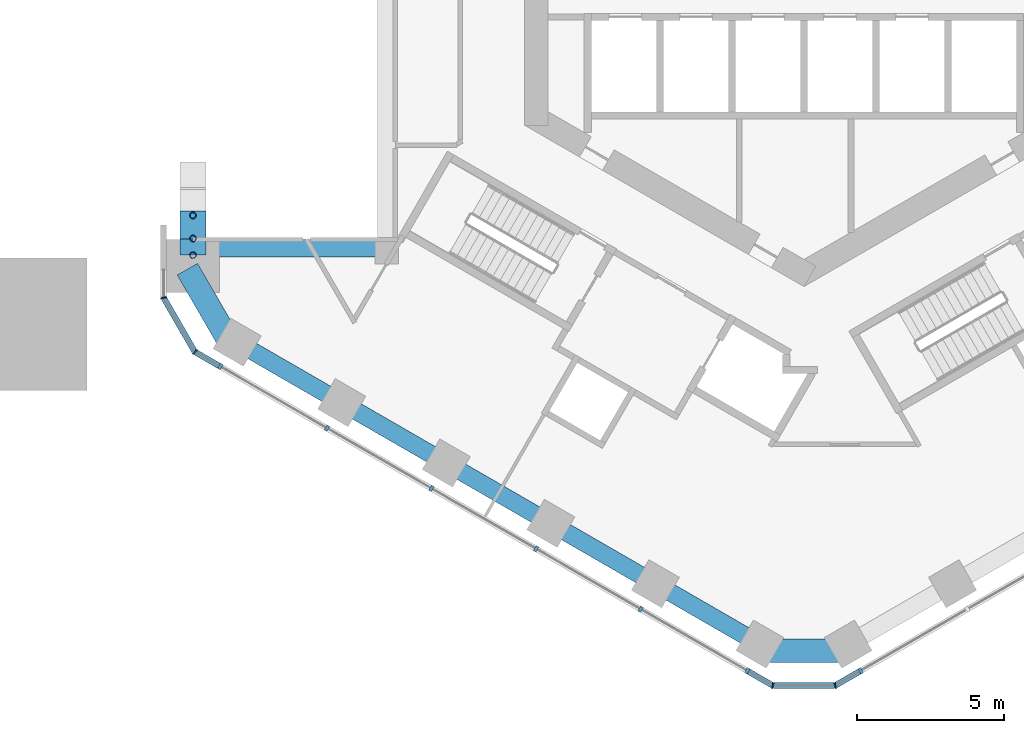
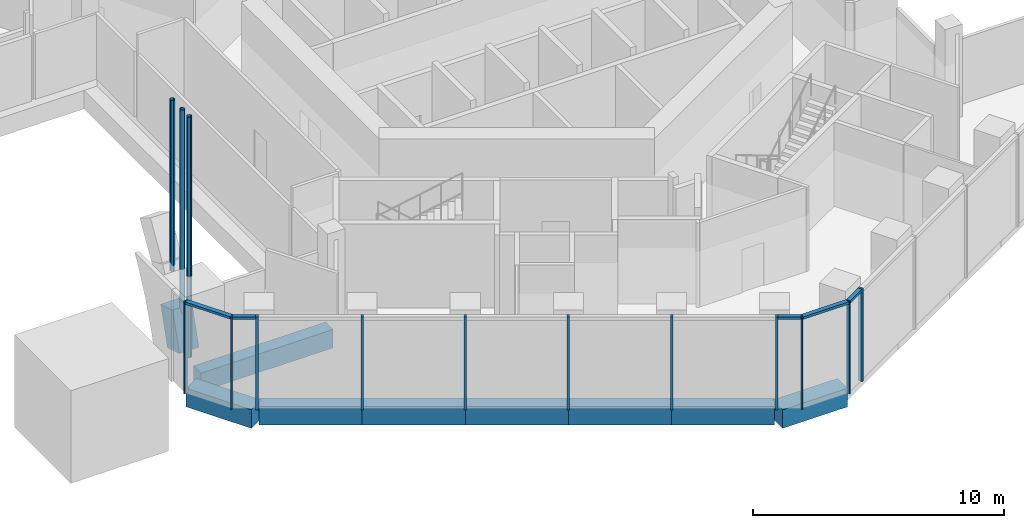
# One storey, part 2 of 14: 19 members, 9 beams, 4 elements without a shape of their own.
"""IFC4 building model written with IfcOpenShell, lengths in metres."""

from ifc_helpers import new_model, si_unit, direction, frame, origin, origin_2d, place, context, subcontext, project, spatial, rectangle, hollow_circle, extrude, material, layer, layer_set, material_profile, profile_set, type_object, element, aggregate, save


model = new_model("IFC4")

# Units and contexts
model_context = context("Model", 3, precision=1e-05, world=origin(), true_north=direction((0.0, 1.0)))
body_context = subcontext(model_context, "Body", "Model", "MODEL_VIEW")
ifc_project = project(units=[si_unit("LENGTHUNIT", "METRE"), si_unit("AREAUNIT", "SQUARE_METRE"), si_unit("VOLUMEUNIT", "CUBIC_METRE"), si_unit("PLANEANGLEUNIT", "RADIAN"), si_unit("MASSUNIT", "GRAM", prefix="KILO")], contexts=[model_context])

# Site, building, storey
site_placement = place(None, origin())
site = spatial("IfcSite", under=ifc_project, at=site_placement, CompositionType="ELEMENT")
building_placement = place(site_placement, origin())
building = spatial("IfcBuilding", under=site, at=building_placement, Name="Ayvan Gate Tower", CompositionType="ELEMENT")
storey_placement = place(building_placement, frame((0.0, 0.0, 7.0)))
storey = spatial("IfcBuildingStorey", under=building, at=storey_placement, Name="L01", CompositionType="ELEMENT", Elevation=7.0)

# Beam
ifc_material_1 = material(Name="Concrete C60/75", Category="concrete")
ifc_material_profile_1 = material_profile(ifc_material_1, rectangle(XDim=0.89990234375, YDim=1.0, at=origin_2d()), Name="RC 900x1000")
ifc_profile_set_1 = profile_set([ifc_material_profile_1], Name="Concrete C60/75")
beam_type_1 = type_object("IfcBeamType", Name="Arch rib RC 900x1000 C60/75", PredefinedType="BEAM", material=ifc_profile_set_1)
beam_1_placement = place(storey_placement, frame((-20.78466796875, -8.877197265625, 2.478759765625), z_axis=(0.0, -0.293791434836, -0.955869548012), x_axis=(1.0, 0.0, 0.0)))
element("IfcBeam", 1, at=beam_1_placement, inside=storey, type_object=beam_type_1, Name="AR-3-18", PredefinedType="BEAM", context=body_context, shape_type="SweptSolid", body=[
    extrude(rectangle(XDim=0.89990234375, YDim=1.0, at=origin_2d()), origin(), (0.0, 0.0, 1.0), 1.86474609375),
])

# Members
ifc_material_2 = material(Name="Steel S460NH", Category="steel")
ifc_material_profile_2 = material_profile(ifc_material_2, hollow_circle(Radius=0.109619140625, WallThickness=0.012451171875, at=origin_2d()), Name="CHS 219.1x12.5")
ifc_profile_set_2 = profile_set([ifc_material_profile_2], Name="Steel S460NH")
member_type_1 = type_object("IfcMemberType", Name="Arch rib hanger CHS 219.1x12.5", PredefinedType="STRUT", material=ifc_profile_set_2)
member_1_placement = place(storey_placement, frame((-20.78466796875, -8.551025390625, 3.927734375), z_axis=(0.0, 0.0, 1.0), x_axis=(1.0, 0.0, 0.0)))
element("IfcMember", 2, at=member_1_placement, inside=storey, type_object=member_type_1, Name="ARH-3-16", PredefinedType="STRUT", context=body_context, shape_type="SweptSolid", body=[
    extrude(hollow_circle(Radius=0.109619140625, WallThickness=0.012451171875, at=origin_2d()), origin(), (0.0, 0.0, 1.0), 8.322265625),
])
member_2_placement = place(storey_placement, frame((-20.78466796875, -9.33447265625, 2.276123046875), z_axis=(0.0, 0.0, 1.0), x_axis=(1.0, 0.0, 0.0)))
element("IfcMember", 3, at=member_2_placement, inside=storey, type_object=member_type_1, Name="ARH-3-17", PredefinedType="STRUT", context=body_context, shape_type="SweptSolid", body=[
    extrude(hollow_circle(Radius=0.109619140625, WallThickness=0.012451171875, at=origin_2d()), origin(), (0.0, 0.0, 1.0), 9.973876953125),
])
member_3_placement = place(storey_placement, frame((-20.78466796875, -9.903076171875, 0.549560546875), z_axis=(0.0, 0.0, 1.0), x_axis=(1.0, 0.0, 0.0)))
element("IfcMember", 4, at=member_3_placement, inside=storey, type_object=member_type_1, Name="ARH-3-18", PredefinedType="STRUT", context=body_context, shape_type="SweptSolid", body=[
    extrude(hollow_circle(Radius=0.109619140625, WallThickness=0.012451171875, at=origin_2d()), origin(), (0.0, 0.0, 1.0), 11.700439453125),
])

# Beams
ifc_material_3 = material(Name="Concrete C40/50", Category="concrete")
ifc_material_profile_3 = material_profile(ifc_material_3, rectangle(XDim=0.800048828125, YDim=0.89990234375, at=origin_2d()), Name="RC 800x900")
ifc_profile_set_3 = profile_set([ifc_material_profile_3], Name="Concrete C40/50")
beam_type_2 = type_object("IfcBeamType", Name="Corner spandrel beam RC 800x900 C40/50", PredefinedType="BEAM", material=ifc_profile_set_3)
for number, where, z_axis, x_axis, name in (
    (5, (-20.97509765625, -10.3779296875, -0.85009765625), (0.499990139034, -0.866031096941, 0.0), (0.866031096941, 0.499990139034, 0.0), "SB-L01-24"),
    (6, (-1.5, -23.35400390625, -0.85009765625), (1.0, 0.0, 0.0), (0.0, 1.0, 0.0), "SB-L01-30"),
):
    element("IfcBeam", number, at=place(storey_placement, frame(where, z_axis=z_axis, x_axis=x_axis)), inside=storey, type_object=beam_type_2, Name=name, PredefinedType="BEAM", context=body_context, shape_type="SweptSolid", body=[
        extrude(rectangle(XDim=0.800048828125, YDim=0.89990234375, at=origin_2d()), origin(), (0.0, 0.0, 1.0), 3.0),
    ])
ifc_material_profile_4 = material_profile(ifc_material_3, rectangle(XDim=0.60009765625, YDim=0.89990234375, at=origin_2d()), Name="RC 600x900")
ifc_profile_set_4 = profile_set([ifc_material_profile_4], Name="Concrete C40/50")
beam_type_3 = type_object("IfcBeamType", Name="Opening edge beam RC 600x900 C40/50", PredefinedType="BEAM", material=ifc_profile_set_4)
beam_2_placement = place(storey_placement, frame((-20.28466796875, -9.66796875, -0.85009765625), z_axis=(1.0, 0.0, 0.0), x_axis=(0.0, 1.0, 0.0)))
element("IfcBeam", 7, at=beam_2_placement, inside=storey, type_object=beam_type_3, Name="OB-L01-3-B", PredefinedType="BEAM", context=body_context, shape_type="SweptSolid", body=[
    extrude(rectangle(XDim=0.60009765625, YDim=0.89990234375, at=origin_2d()), origin(), (0.0, 0.0, 1.0), 6.084716796875),
])
ifc_material_profile_5 = material_profile(ifc_material_3, rectangle(XDim=0.60009765625, YDim=0.89990234375, at=origin_2d()), Name="RC 600x900")
ifc_profile_set_5 = profile_set([ifc_material_profile_5], Name="Concrete C40/50")
beam_type_4 = type_object("IfcBeamType", Name="Spandrel beam RC 600x900 C40/50", PredefinedType="BEAM", material=ifc_profile_set_5)
for number, where, z_axis, x_axis, name in (
    (8, (-19.28466796875, -12.865966796875, -0.85009765625), (0.866010373586, -0.500026032164, 0.0), (0.500026032164, 0.866010373586, 0.0), "SB-L01-25"),
    (9, (-15.727783203125, -14.919677734375, -0.85009765625), (0.866050971923, -0.499955712069, 0.0), (0.499955712069, 0.866050971923, 0.0), "SB-L01-26"),
    (10, (-12.170654296875, -16.97314453125, -0.85009765625), (0.866010373586, -0.500026032164, 0.0), (0.500026032164, 0.866010373586, 0.0), "SB-L01-27"),
    (11, (-8.61376953125, -19.02685546875, -0.85009765625), (0.866036113234, -0.499981450231, 0.0), (0.499981450231, 0.866036113234, 0.0), "SB-L01-28"),
    (12, (-5.056884765625, -21.080322265625, -0.85009765625), (0.866010373586, -0.500026032164, 0.0), (0.500026032164, 0.866010373586, 0.0), "SB-L01-29"),
):
    element("IfcBeam", number, at=place(storey_placement, frame(where, z_axis=z_axis, x_axis=x_axis)), inside=storey, type_object=beam_type_4, Name=name, PredefinedType="BEAM", context=body_context, shape_type="SweptSolid", body=[
        extrude(rectangle(XDim=0.60009765625, YDim=0.89990234375, at=origin_2d()), origin(), (0.0, 0.0, 1.0), 4.107177734375),
    ])

# Curtain wall, members
ifc_material_4 = material(Name="Bronze anodised aluminium", Category="aluminium")
ifc_layer_1 = layer(ifc_material_4, 0.199951171875)
ifc_layer_set_1 = layer_set([ifc_layer_1], Name="Bronze anodised aluminium")
curtain_wall_type_1 = type_object("IfcCurtainWallType", Name="Stick curtain wall CW-3", PredefinedType="NOTDEFINED", material=ifc_layer_set_1)
curtain_wall_1_placement = place(storey_placement, origin())
curtain_wall_1 = element("IfcCurtainWall", 13, at=curtain_wall_1_placement, inside=storey, type_object=curtain_wall_type_1, Name="Stick curtain wall CW-3 L01", PredefinedType="NOTDEFINED")
ifc_material_profile_6 = material_profile(ifc_material_4, rectangle(XDim=0.199951171875, YDim=0.10009765625, at=origin_2d()), Name="Stick curtain wall CW-3 mullion 200 x 100")
ifc_profile_set_6 = profile_set([ifc_material_profile_6], Name="Bronze anodised aluminium")
member_type_2 = type_object("IfcMemberType", Name="Stick curtain wall CW-3 mullion 200 x 100", PredefinedType="MULLION", material=ifc_profile_set_6)
member_4_placement = place(storey_placement, frame((-19.855224609375, -13.691162109375, 0.0), z_axis=(0.0, 0.0, 1.0), x_axis=(-0.5, -0.866025403784, 0.0)))
member_4 = element("IfcMember", 14, at=member_4_placement, type_object=member_type_2, Name="CW-3 mullion 1", PredefinedType="MULLION", context=body_context, shape_type="SweptSolid", body=[
    extrude(rectangle(XDim=0.199951171875, YDim=0.10009765625, at=origin_2d()), origin(), (0.0, 0.0, 1.0), 4.5),
])
member_5_placement = place(storey_placement, frame((-16.2275390625, -15.78564453125, 0.0), z_axis=(0.0, 0.0, 1.0), x_axis=(-0.5, -0.866025403784, 0.0)))
member_5 = element("IfcMember", 15, at=member_5_placement, type_object=member_type_2, Name="CW-3 mullion 2", PredefinedType="MULLION", context=body_context, shape_type="SweptSolid", body=[
    extrude(rectangle(XDim=0.199951171875, YDim=0.10009765625, at=origin_2d()), origin(), (0.0, 0.0, 1.0), 4.5),
])
member_6_placement = place(storey_placement, frame((-12.670654296875, -17.839111328125, 0.0), z_axis=(0.0, 0.0, 1.0), x_axis=(-0.5, -0.866025403784, 0.0)))
member_6 = element("IfcMember", 16, at=member_6_placement, type_object=member_type_2, Name="CW-3 mullion 3", PredefinedType="MULLION", context=body_context, shape_type="SweptSolid", body=[
    extrude(rectangle(XDim=0.199951171875, YDim=0.10009765625, at=origin_2d()), origin(), (0.0, 0.0, 1.0), 4.5),
])
member_7_placement = place(storey_placement, frame((-9.114013671875, -19.892822265625, 0.0), z_axis=(0.0, 0.0, 1.0), x_axis=(-0.5, -0.866025403784, 0.0)))
member_7 = element("IfcMember", 17, at=member_7_placement, type_object=member_type_2, Name="CW-3 mullion 4", PredefinedType="MULLION", context=body_context, shape_type="SweptSolid", body=[
    extrude(rectangle(XDim=0.199951171875, YDim=0.10009765625, at=origin_2d()), origin(), (0.0, 0.0, 1.0), 4.5),
])
member_8_placement = place(storey_placement, frame((-5.55712890625, -21.9462890625, 0.0), z_axis=(0.0, 0.0, 1.0), x_axis=(-0.5, -0.866025403784, 0.0)))
member_8 = element("IfcMember", 18, at=member_8_placement, type_object=member_type_2, Name="CW-3 mullion 5", PredefinedType="MULLION", context=body_context, shape_type="SweptSolid", body=[
    extrude(rectangle(XDim=0.199951171875, YDim=0.10009765625, at=origin_2d()), origin(), (0.0, 0.0, 1.0), 4.5),
])
member_9_placement = place(storey_placement, frame((-1.92919921875, -24.040771484375, 0.0), z_axis=(0.0, 0.0, 1.0), x_axis=(-0.5, -0.866025403784, 0.0)))
member_9 = element("IfcMember", 19, at=member_9_placement, type_object=member_type_2, Name="CW-3 mullion 6", PredefinedType="MULLION", context=body_context, shape_type="SweptSolid", body=[
    extrude(rectangle(XDim=0.199951171875, YDim=0.10009765625, at=origin_2d()), origin(), (0.0, 0.0, 1.0), 4.5),
])
aggregate(curtain_wall_1, [member_4, member_5, member_6, member_7, member_8, member_9])

# Curtain wall, member
curtain_wall_2_placement = place(storey_placement, origin())
curtain_wall_2 = element("IfcCurtainWall", 20, at=curtain_wall_2_placement, inside=storey, type_object=curtain_wall_type_1, Name="Stick curtain wall CW-3 L01", PredefinedType="NOTDEFINED")
member_10_placement = place(storey_placement, frame((1.92919921875, -24.040771484375, 0.0), z_axis=(0.0, 0.0, 1.0), x_axis=(0.5, -0.866025403784, 0.0)))
member_10 = element("IfcMember", 21, at=member_10_placement, type_object=member_type_2, Name="CW-3 mullion 1", PredefinedType="MULLION", context=body_context, shape_type="SweptSolid", body=[
    extrude(rectangle(XDim=0.199951171875, YDim=0.10009765625, at=origin_2d()), origin(), (0.0, 0.0, 1.0), 4.5),
])
aggregate(curtain_wall_2, [member_10])

# Curtain wall, members
ifc_layer_2 = layer(ifc_material_4, 0.199951171875)
ifc_layer_set_2 = layer_set([ifc_layer_2], Name="Bronze anodised aluminium")
curtain_wall_type_2 = type_object("IfcCurtainWallType", Name="Stick curtain wall CW-6", PredefinedType="NOTDEFINED", material=ifc_layer_set_2)
curtain_wall_3_placement = place(storey_placement, origin())
curtain_wall_3 = element("IfcCurtainWall", 22, at=curtain_wall_3_placement, inside=storey, type_object=curtain_wall_type_2, Name="Stick curtain wall CW-6 L01", PredefinedType="NOTDEFINED")
ifc_material_profile_7 = material_profile(ifc_material_4, rectangle(XDim=0.199951171875, YDim=0.050048828125, at=origin_2d()), Name="Stick curtain wall CW-6 mullion 200 x 50")
ifc_profile_set_7 = profile_set([ifc_material_profile_7], Name="Bronze anodised aluminium")
member_type_3 = type_object("IfcMemberType", Name="Stick curtain wall CW-6 mullion 200 x 50", PredefinedType="MULLION", material=ifc_profile_set_7)
member_11_placement = place(storey_placement, frame((-21.78466796875, -11.349609375, 0.0), z_axis=(0.0, 0.0, 1.0), x_axis=(-0.965925826289, -0.258819045103, 0.0)))
member_11 = element("IfcMember", 23, at=member_11_placement, type_object=member_type_3, Name="CW-6 mullion 2", PredefinedType="MULLION", context=body_context, shape_type="SweptSolid", body=[
    extrude(rectangle(XDim=0.199951171875, YDim=0.050048828125, at=origin_2d()), origin(), (0.0, 0.0, 1.0), 4.5),
])
member_12_placement = place(storey_placement, frame((-20.721435546875, -13.191162109375, 0.0), z_axis=(0.0, 0.0, 1.0), x_axis=(-0.707106781187, -0.707106781187, 0.0)))
member_12 = element("IfcMember", 24, at=member_12_placement, type_object=member_type_3, Name="CW-6 mullion 3", PredefinedType="MULLION", context=body_context, shape_type="SweptSolid", body=[
    extrude(rectangle(XDim=0.199951171875, YDim=0.050048828125, at=origin_2d()), origin(), (0.0, 0.0, 1.0), 4.5),
])

curtain_wall_4_placement = place(storey_placement, origin())
curtain_wall_4 = element("IfcCurtainWall", 25, at=curtain_wall_4_placement, inside=storey, type_object=curtain_wall_type_2, Name="Stick curtain wall CW-6 L01", PredefinedType="NOTDEFINED")
member_13_placement = place(storey_placement, frame((-1.063232421875, -24.540771484375, 0.0), z_axis=(0.0, 0.0, 1.0), x_axis=(-0.258819045103, -0.965925826289, 0.0)))
member_13 = element("IfcMember", 26, at=member_13_placement, type_object=member_type_3, Name="CW-6 mullion 2", PredefinedType="MULLION", context=body_context, shape_type="SweptSolid", body=[
    extrude(rectangle(XDim=0.199951171875, YDim=0.050048828125, at=origin_2d()), origin(), (0.0, 0.0, 1.0), 4.5),
])
member_14_placement = place(storey_placement, frame((1.063232421875, -24.540771484375, 0.0), z_axis=(0.0, 0.0, 1.0), x_axis=(0.258819045103, -0.965925826289, 0.0)))
member_14 = element("IfcMember", 27, at=member_14_placement, type_object=member_type_3, Name="CW-6 mullion 3", PredefinedType="MULLION", context=body_context, shape_type="SweptSolid", body=[
    extrude(rectangle(XDim=0.199951171875, YDim=0.050048828125, at=origin_2d()), origin(), (0.0, 0.0, 1.0), 4.5),
])

# Member
ifc_material_profile_8 = material_profile(ifc_material_4, rectangle(XDim=0.199951171875, YDim=0.1201171875, at=origin_2d()), Name="Stick curtain wall CW-6 transom 200 x 120")
ifc_profile_set_8 = profile_set([ifc_material_profile_8], Name="Bronze anodised aluminium")
member_type_4 = type_object("IfcMemberType", Name="Stick curtain wall CW-6 transom 200 x 120", PredefinedType="USERDEFINED", material=ifc_profile_set_8)
member_15_placement = place(storey_placement, frame((-21.772216796875, -11.371337890625, 4.43994140625), z_axis=(0.500020978615, -0.866013291437, 0.0), x_axis=(0.866013291437, 0.500020978615, 0.0)))
member_15 = element("IfcMember", 28, at=member_15_placement, type_object=member_type_4, Name="CW-6 transom 2", ObjectType="TRANSOM", PredefinedType="USERDEFINED", context=body_context, shape_type="SweptSolid", body=[
    extrude(rectangle(XDim=0.199951171875, YDim=0.1201171875, at=origin_2d()), origin(), (0.0, 0.0, 1.0), 2.07666015625),
])

member_16_placement = place(storey_placement, frame((-20.69970703125, -13.20361328125, 4.43994140625), z_axis=(0.865943820382, -0.500141279983, 0.0), x_axis=(0.500141279983, 0.865943820382, 0.0)))
member_16 = element("IfcMember", 29, at=member_16_placement, type_object=member_type_4, Name="CW-6 transom 3", ObjectType="TRANSOM", PredefinedType="USERDEFINED", context=body_context, shape_type="SweptSolid", body=[
    extrude(rectangle(XDim=0.199951171875, YDim=0.1201171875, at=origin_2d()), origin(), (0.0, 0.0, 1.0), 0.925048828125),
])

aggregate(curtain_wall_3, [member_11, member_12, member_15, member_16])

member_17_placement = place(storey_placement, frame((-1.885986328125, -24.06591796875, 4.43994140625), z_axis=(0.866058118026, -0.49994333299, 0.0), x_axis=(0.49994333299, 0.866058118026, 0.0)))
member_17 = element("IfcMember", 30, at=member_17_placement, type_object=member_type_4, Name="CW-6 transom 1", ObjectType="TRANSOM", PredefinedType="USERDEFINED", context=body_context, shape_type="SweptSolid", body=[
    extrude(rectangle(XDim=0.199951171875, YDim=0.1201171875, at=origin_2d()), origin(), (0.0, 0.0, 1.0), 0.9248046875),
])

member_18_placement = place(storey_placement, frame((-1.038330078125, -24.540771484375, 4.43994140625), z_axis=(1.0, 0.0, 0.0), x_axis=(0.0, 1.0, 0.0)))
member_18 = element("IfcMember", 31, at=member_18_placement, type_object=member_type_4, Name="CW-6 transom 2", ObjectType="TRANSOM", PredefinedType="USERDEFINED", context=body_context, shape_type="SweptSolid", body=[
    extrude(rectangle(XDim=0.199951171875, YDim=0.1201171875, at=origin_2d()), origin(), (0.0, 0.0, 1.0), 2.07666015625),
])

member_19_placement = place(storey_placement, frame((1.0849609375, -24.5283203125, 4.43994140625), z_axis=(0.866058118026, 0.49994333299, 0.0), x_axis=(-0.49994333299, 0.866058118026, 0.0)))
member_19 = element("IfcMember", 32, at=member_19_placement, type_object=member_type_4, Name="CW-6 transom 3", ObjectType="TRANSOM", PredefinedType="USERDEFINED", context=body_context, shape_type="SweptSolid", body=[
    extrude(rectangle(XDim=0.199951171875, YDim=0.1201171875, at=origin_2d()), origin(), (0.0, 0.0, 1.0), 0.9248046875),
])

aggregate(curtain_wall_4, [member_13, member_14, member_17, member_18, member_19])

save(model, "model.ifc")
